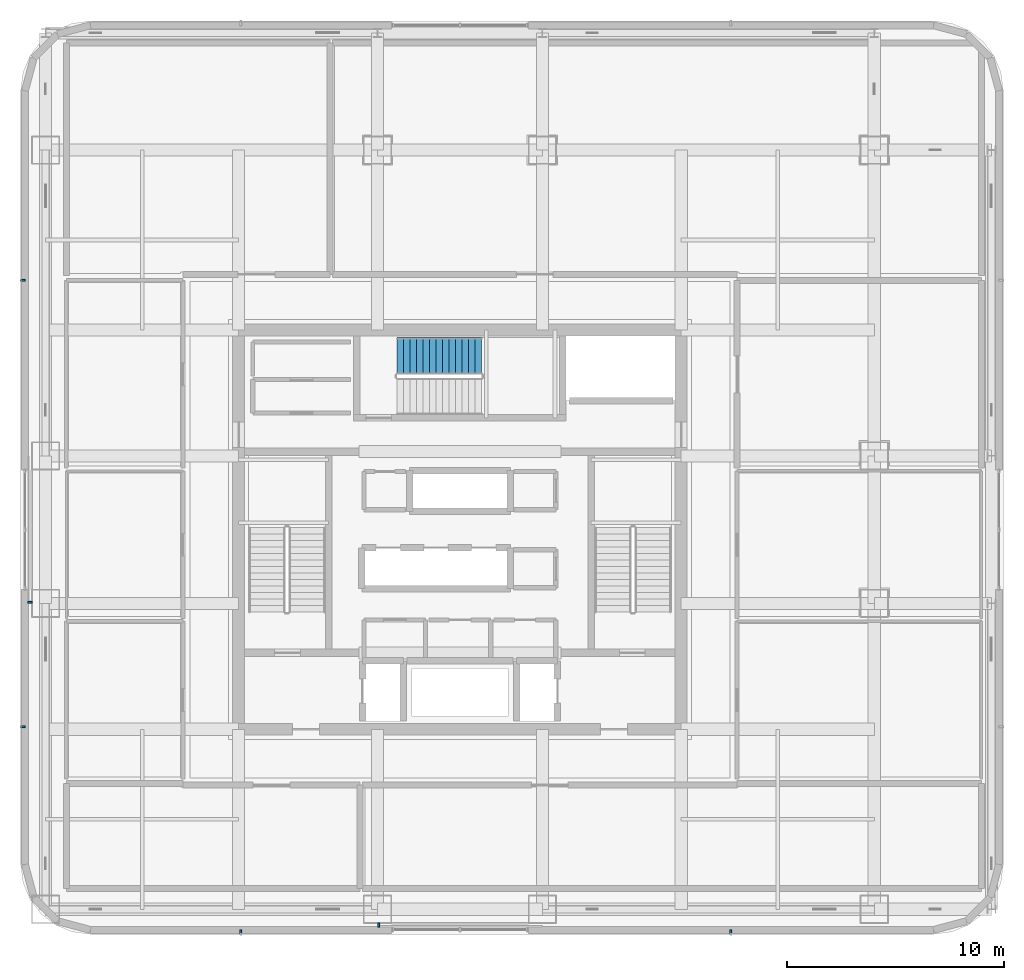
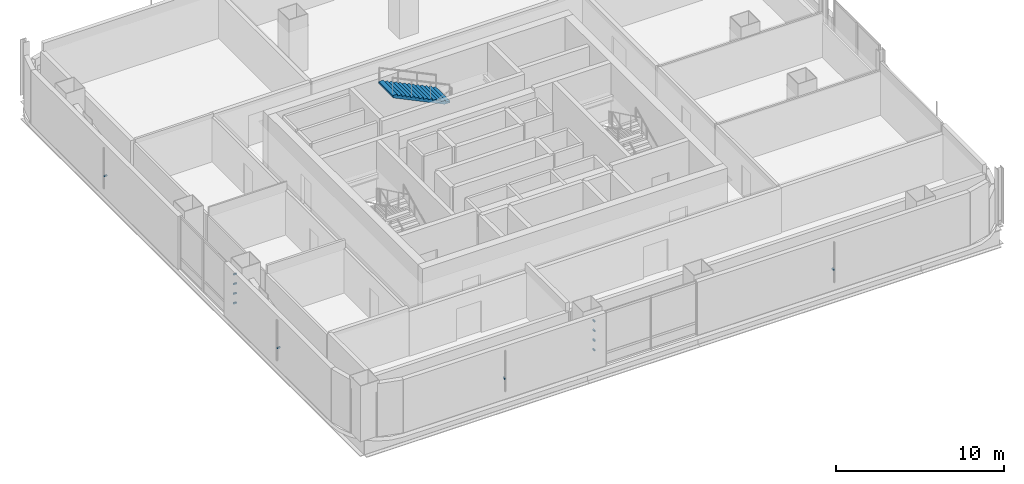
# One storey, part 19 of 30: 12 discrete accessories, 1 stair flight, 1 element without a shape of its own.
"""IFC4 building model written with IfcOpenShell, lengths in metres."""

from ifc_helpers import new_model, si_unit, direction, frame, origin, origin_2d, place, context, subcontext, project, spatial, polyline, rectangle, outline, extrude, material, type_object, element, aggregate, save


model = new_model("IFC4")

# Units and contexts
model_context = context("Model", 3, precision=1e-05, world=origin(), true_north=direction((0.0, 1.0)))
body_context = subcontext(model_context, "Body", "Model", "MODEL_VIEW")
ifc_project = project(units=[si_unit("LENGTHUNIT", "METRE"), si_unit("AREAUNIT", "SQUARE_METRE"), si_unit("VOLUMEUNIT", "CUBIC_METRE"), si_unit("PLANEANGLEUNIT", "RADIAN"), si_unit("MASSUNIT", "GRAM", prefix="KILO")], contexts=[model_context])

# Site, building, storey
site_placement = place(None, origin())
site = spatial("IfcSite", under=ifc_project, at=site_placement, CompositionType="ELEMENT")
building_placement = place(site_placement, origin())
building = spatial("IfcBuilding", under=site, at=building_placement, Name="Punatoya Terracotta Tower", CompositionType="ELEMENT")
storey_placement = place(building_placement, frame((0.0, 0.0, 251.39990234375)))
storey = spatial("IfcBuildingStorey", under=building, at=storey_placement, Name="L59", CompositionType="ELEMENT", Elevation=251.39990234375)

# Stair, stair flight
ifc_material_1 = material(Name="Concrete C40/50", Category="concrete")
stair_type = type_object("IfcStairType", Name="STR-TER-1450", PredefinedType="HALF_TURN_STAIR", material=ifc_material_1)
stair_placement = place(storey_placement, origin())
stair = element("IfcStair", 1, at=stair_placement, inside=storey, type_object=stair_type, Name="L59 Protected Core Exit Stair ST-3", PredefinedType="HALF_TURN_STAIR")
stair_flight_type = type_object("IfcStairFlightType", Name="SFL-TER-1450", PredefinedType="STRAIGHT", material=ifc_material_1)
stair_flight_placement = place(storey_placement, frame((1.0, 8.0, 2.025146484375), z_axis=(0.0, 0.0, 1.0), x_axis=(-1.0, 0.0, 0.0)))
stair_flight = element("IfcStairFlight", 2, at=stair_flight_placement, type_object=stair_flight_type, Name="ST-3 flight 2", NumberOfRisers=14, NumberOfTreads=13, PredefinedType="STRAIGHT", RiserHeight=0.144642857, TreadLength=0.3, context=body_context, shape_type="SweptSolid", body=[
    extrude(outline(polyline([(0.0, 0.0), (0.0, 0.14453125), (0.300048828125, 0.14453125), (0.300048828125, 0.289306640625), (0.60009765625, 0.289306640625), (0.60009765625, 0.433837890625), (0.89990234375, 0.433837890625), (0.89990234375, 0.57861328125), (1.199951171875, 0.57861328125), (1.199951171875, 0.72314453125), (1.5, 0.72314453125), (1.5, 0.867919921875), (1.800048828125, 0.867919921875), (1.800048828125, 1.012451171875), (2.10009765625, 1.012451171875), (2.10009765625, 1.1572265625), (2.39990234375, 1.1572265625), (2.39990234375, 1.3017578125), (2.699951171875, 1.3017578125), (2.699951171875, 1.446533203125), (3.0, 1.446533203125), (3.0, 1.591064453125), (3.300048828125, 1.591064453125), (3.300048828125, 1.735595703125), (3.60009765625, 1.735595703125), (3.60009765625, 1.88037109375), (3.89990234375, 1.88037109375), (3.89990234375, 2.02490234375), (3.89990234375, 1.7138671875), (0.34521484375, 0.0), (0.0, 0.0)])), frame((0.0, 0.85009765625, 0.0), z_axis=(0.0, -1.0, 0.0), x_axis=(1.0, 0.0, 0.0)), (0.0, 0.0, 1.0), 1.699951171875),
])
aggregate(stair, [stair_flight])

# Discrete accessories
ifc_material_2 = material(Name="Steel S355", Category="steel")
discrete_accessory_type = type_object("IfcDiscreteAccessoryType", Name="ACC-BRK-220", PredefinedType="BRACKET", material=ifc_material_2)
for number, where, z_axis, x_axis, name in (
    (3, (-10.093505859375, -18.550048828125, 1.449951171875), (0.0, 0.0, 1.0), (1.0, 0.0, 0.0), "L59 Jali Fin Support Bracket S1"),
    (4, (12.493408203125, -18.550048828125, 1.449951171875), (0.0, 0.0, 1.0), (1.0, 0.0, 0.0), "L59 Jali Fin Support Bracket S2"),
    (5, (-20.14990234375, 11.493408203125, 1.449951171875), (0.0, 0.0, 1.0), (0.0, -1.0, 0.0), "L59 Jali Fin Support Bracket W1"),
    (6, (-20.14990234375, -9.093505859375, 1.449951171875), (0.0, 0.0, 1.0), (0.0, -1.0, 0.0), "L59 Jali Fin Support Bracket W2"),
    (7, (-3.75, -18.219970703125, 1.10009765625), (0.0, 0.0, 1.0), (1.0, 0.0, 0.0), "L59 Baguette Louvre Column Bracket BAG-L59-S-01"),
    (8, (-3.75, -18.219970703125, 1.800048828125), (0.0, 0.0, 1.0), (1.0, 0.0, 0.0), "L59 Baguette Louvre Column Bracket BAG-L59-S-02"),
    (9, (-3.75, -18.219970703125, 2.5), (0.0, 0.0, 1.0), (1.0, 0.0, 0.0), "L59 Baguette Louvre Column Bracket BAG-L59-S-03"),
    (10, (-3.75, -18.219970703125, 3.199951171875), (0.0, 0.0, 1.0), (1.0, 0.0, 0.0), "L59 Baguette Louvre Column Bracket BAG-L59-S-04"),
    (11, (-19.820068359375, -3.35009765625, 1.10009765625), (0.0, 0.0, 1.0), (0.0, 1.0, 0.0), "L59 Baguette Louvre Column Bracket BAG-L59-W-01"),
    (12, (-19.820068359375, -3.35009765625, 1.800048828125), (0.0, 0.0, 1.0), (0.0, 1.0, 0.0), "L59 Baguette Louvre Column Bracket BAG-L59-W-02"),
    (13, (-19.820068359375, -3.35009765625, 2.5), (0.0, 0.0, 1.0), (0.0, 1.0, 0.0), "L59 Baguette Louvre Column Bracket BAG-L59-W-03"),
    (14, (-19.820068359375, -3.35009765625, 3.199951171875), (0.0, 0.0, 1.0), (0.0, 1.0, 0.0), "L59 Baguette Louvre Column Bracket BAG-L59-W-04"),
):
    element("IfcDiscreteAccessory", number, at=place(storey_placement, frame(where, z_axis=z_axis, x_axis=x_axis)), inside=storey, type_object=discrete_accessory_type, Name=name, PredefinedType="BRACKET", context=body_context, shape_type="SweptSolid", body=[
        extrude(rectangle(XDim=0.090087890625, YDim=0.219970703125, at=origin_2d()), origin(), (0.0, 0.0, 1.0), 0.10009765625),
    ])

save(model, "model.ifc")
